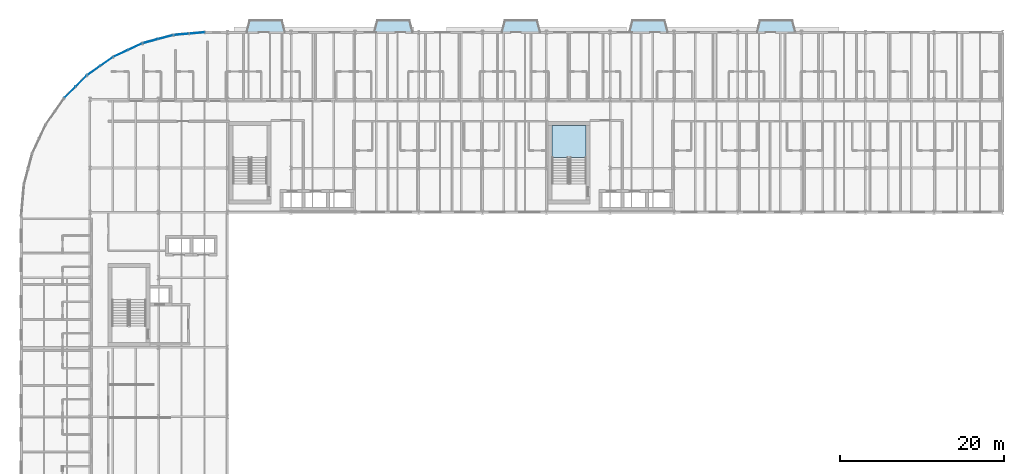
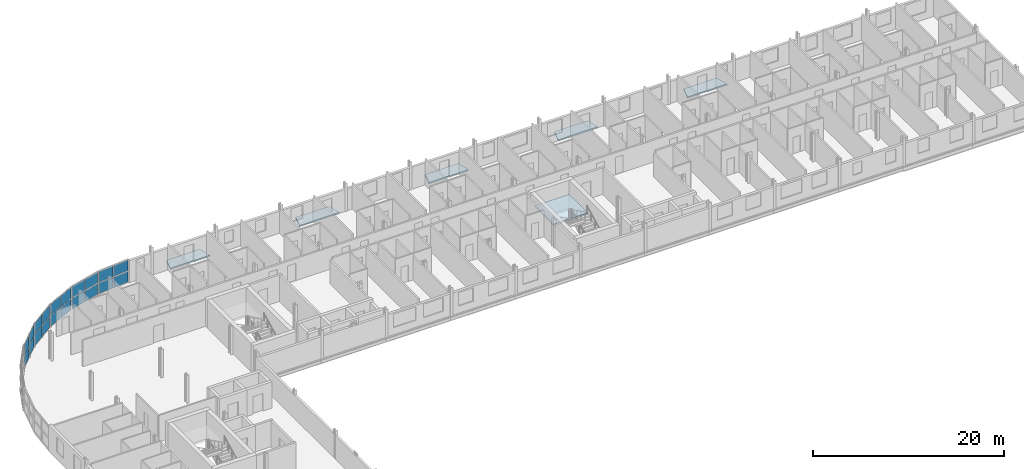
# One storey, part 15 of 36: 20 plates, 6 slabs, 6 elements without a shape of their own.
"""IFC4 building model written with IfcOpenShell, lengths in metres."""

from ifc_helpers import new_model, si_unit, direction, frame, origin, origin_2d, place, context, subcontext, project, spatial, polyline, rectangle, outline, extrude, material, layer, layer_set, type_object, element, aggregate, save


model = new_model("IFC4")

# Units and contexts
model_context = context("Model", 3, precision=1e-05, world=origin(), true_north=direction((0.0, 1.0)))
body_context = subcontext(model_context, "Body", "Model", "MODEL_VIEW")
ifc_project = project(units=[si_unit("LENGTHUNIT", "METRE"), si_unit("AREAUNIT", "SQUARE_METRE"), si_unit("VOLUMEUNIT", "CUBIC_METRE"), si_unit("PLANEANGLEUNIT", "RADIAN"), si_unit("MASSUNIT", "GRAM", prefix="KILO")], contexts=[model_context])

# Site, building, storey
site_placement = place(None, origin())
site = spatial("IfcSite", under=ifc_project, at=site_placement, CompositionType="ELEMENT")
building_placement = place(site_placement, origin())
building = spatial("IfcBuilding", under=site, at=building_placement, Name="Sefraquen Railside Congress Hotel", CompositionType="ELEMENT")
storey_placement = place(building_placement, frame((0.0, 0.0, 28.199951171875)))
storey = spatial("IfcBuildingStorey", under=building, at=storey_placement, Name="L06", CompositionType="ELEMENT", Elevation=28.199951171875)

# Curtain wall, plates
ifc_material_1 = material(Name="Thermally broken anodised aluminium and low-E double glazing", Category="aluminium")
ifc_layer_1 = layer(ifc_material_1, 0.199951171875)
ifc_layer_set_1 = layer_set([ifc_layer_1], Name="Thermally broken anodised aluminium and low-E double glazing")
curtain_wall_type_1 = type_object("IfcCurtainWallType", Name="TCW-UCW-23", PredefinedType="USERDEFINED", material=ifc_layer_set_1)
curtain_wall_1_placement = place(storey_placement, origin())
curtain_wall_1 = element("IfcCurtainWall", 1, at=curtain_wall_1_placement, inside=storey, type_object=curtain_wall_type_1, Name="Rotunda L06 curved curtain wall facet 1", ObjectType="UNITISED CURTAIN WALL", PredefinedType="USERDEFINED")
ifc_material_2 = material(Name="Solar-control low-E double glazing", Category="glass")
ifc_layer_2 = layer(ifc_material_2, 0.02392578125)
ifc_layer_set_2 = layer_set([ifc_layer_2], Name="Solar-control low-E double glazing")
plate_type_1 = type_object("IfcPlateType", Name="TP-CWP-01", PredefinedType="CURTAIN_PANEL", material=ifc_layer_set_2)
plate_1_placement = place(storey_placement, frame((21.50341796875, 117.912841796875, 0.0400390625), z_axis=(0.0, 0.0, 1.0), x_axis=(-0.996196219095, -0.087138355857, 0.0)))
plate_1 = element("IfcPlate", 2, at=plate_1_placement, type_object=plate_type_1, Name="CW-L06-ROT-01 panel 1.1", PredefinedType="CURTAIN_PANEL", context=body_context, shape_type="SweptSolid", body=[
    extrude(rectangle(XDim=1.8310546875, YDim=0.02392578125, at=origin_2d()), origin(), (0.0, 0.0, 1.0), 1.375),
])
plate_2_placement = place(storey_placement, frame((19.589599609375, 117.745361328125, 0.0400390625), z_axis=(0.0, 0.0, 1.0), x_axis=(-0.996196219095, -0.087138355857, 0.0)))
plate_2 = element("IfcPlate", 3, at=plate_2_placement, type_object=plate_type_1, Name="CW-L06-ROT-01 panel 1.2", PredefinedType="CURTAIN_PANEL", context=body_context, shape_type="SweptSolid", body=[
    extrude(rectangle(XDim=1.8310546875, YDim=0.02392578125, at=origin_2d()), origin(), (0.0, 0.0, 1.0), 1.375),
])

ifc_layer_3 = layer(ifc_material_1, 0.199951171875)
ifc_layer_set_3 = layer_set([ifc_layer_3], Name="Thermally broken anodised aluminium and low-E double glazing")
curtain_wall_type_2 = type_object("IfcCurtainWallType", Name="TCW-UCW-24", PredefinedType="USERDEFINED", material=ifc_layer_set_3)
curtain_wall_2_placement = place(storey_placement, origin())
curtain_wall_2 = element("IfcCurtainWall", 4, at=curtain_wall_2_placement, inside=storey, type_object=curtain_wall_type_2, Name="Rotunda L06 curved curtain wall facet 2", ObjectType="UNITISED CURTAIN WALL", PredefinedType="USERDEFINED")
plate_3_placement = place(storey_placement, frame((17.62646484375, 117.399169921875, 0.0400390625), z_axis=(0.0, 0.0, 1.0), x_axis=(-0.96593486019, -0.258785327773, 0.0)))
plate_3 = element("IfcPlate", 5, at=plate_3_placement, type_object=plate_type_1, Name="CW-L06-ROT-02 panel 1.1", PredefinedType="CURTAIN_PANEL", context=body_context, shape_type="SweptSolid", body=[
    extrude(rectangle(XDim=1.8310546875, YDim=0.02392578125, at=origin_2d()), origin(), (0.0, 0.0, 1.0), 1.375),
])
plate_4_placement = place(storey_placement, frame((15.77099609375, 116.902099609375, 0.0400390625), z_axis=(0.0, 0.0, 1.0), x_axis=(-0.96593486019, -0.258785327773, 0.0)))
plate_4 = element("IfcPlate", 6, at=plate_4_placement, type_object=plate_type_1, Name="CW-L06-ROT-02 panel 1.2", PredefinedType="CURTAIN_PANEL", context=body_context, shape_type="SweptSolid", body=[
    extrude(rectangle(XDim=1.8310546875, YDim=0.02392578125, at=origin_2d()), origin(), (0.0, 0.0, 1.0), 1.375),
])

ifc_layer_4 = layer(ifc_material_1, 0.199951171875)
ifc_layer_set_4 = layer_set([ifc_layer_4], Name="Thermally broken anodised aluminium and low-E double glazing")
curtain_wall_type_3 = type_object("IfcCurtainWallType", Name="TCW-UCW-25", PredefinedType="USERDEFINED", material=ifc_layer_set_4)
curtain_wall_3_placement = place(storey_placement, origin())
curtain_wall_3 = element("IfcCurtainWall", 7, at=curtain_wall_3_placement, inside=storey, type_object=curtain_wall_type_3, Name="Rotunda L06 curved curtain wall facet 3", ObjectType="UNITISED CURTAIN WALL", PredefinedType="USERDEFINED")
plate_5_placement = place(storey_placement, frame((13.897705078125, 116.22021484375, 0.0400390625), z_axis=(0.0, 0.0, 1.0), x_axis=(-0.906300410818, -0.422634079731, 0.0)))
plate_5 = element("IfcPlate", 8, at=plate_5_placement, type_object=plate_type_1, Name="CW-L06-ROT-03 panel 1.1", PredefinedType="CURTAIN_PANEL", context=body_context, shape_type="SweptSolid", body=[
    extrude(rectangle(XDim=1.830810546875, YDim=0.02392578125, at=origin_2d()), origin(), (0.0, 0.0, 1.0), 1.375),
])
plate_6_placement = place(storey_placement, frame((12.15673828125, 115.408447265625, 0.0400390625), z_axis=(0.0, 0.0, 1.0), x_axis=(-0.906300410818, -0.422634079731, 0.0)))
plate_6 = element("IfcPlate", 9, at=plate_6_placement, type_object=plate_type_1, Name="CW-L06-ROT-03 panel 1.2", PredefinedType="CURTAIN_PANEL", context=body_context, shape_type="SweptSolid", body=[
    extrude(rectangle(XDim=1.830810546875, YDim=0.02392578125, at=origin_2d()), origin(), (0.0, 0.0, 1.0), 1.375),
])

ifc_layer_5 = layer(ifc_material_1, 0.199951171875)
ifc_layer_set_5 = layer_set([ifc_layer_5], Name="Thermally broken anodised aluminium and low-E double glazing")
curtain_wall_type_4 = type_object("IfcCurtainWallType", Name="TCW-UCW-26", PredefinedType="USERDEFINED", material=ifc_layer_set_5)
curtain_wall_4_placement = place(storey_placement, origin())
curtain_wall_4 = element("IfcCurtainWall", 10, at=curtain_wall_4_placement, inside=storey, type_object=curtain_wall_type_4, Name="Rotunda L06 curved curtain wall facet 4", ObjectType="UNITISED CURTAIN WALL", PredefinedType="USERDEFINED")
plate_7_placement = place(storey_placement, frame((10.430419921875, 114.411865234375, 0.0400390625), z_axis=(0.0, 0.0, 1.0), x_axis=(-0.819132022195, -0.573605029802, 0.0)))
plate_7 = element("IfcPlate", 11, at=plate_7_placement, type_object=plate_type_1, Name="CW-L06-ROT-04 panel 1.1", PredefinedType="CURTAIN_PANEL", context=body_context, shape_type="SweptSolid", body=[
    extrude(rectangle(XDim=1.8310546875, YDim=0.02392578125, at=origin_2d()), origin(), (0.0, 0.0, 1.0), 1.375),
])
plate_8_placement = place(storey_placement, frame((8.856689453125, 113.309814453125, 0.0400390625), z_axis=(0.0, 0.0, 1.0), x_axis=(-0.819132022195, -0.573605029802, 0.0)))
plate_8 = element("IfcPlate", 12, at=plate_8_placement, type_object=plate_type_1, Name="CW-L06-ROT-04 panel 1.2", PredefinedType="CURTAIN_PANEL", context=body_context, shape_type="SweptSolid", body=[
    extrude(rectangle(XDim=1.8310546875, YDim=0.02392578125, at=origin_2d()), origin(), (0.0, 0.0, 1.0), 1.375),
])

ifc_layer_6 = layer(ifc_material_1, 0.199951171875)
ifc_layer_set_6 = layer_set([ifc_layer_6], Name="Thermally broken anodised aluminium and low-E double glazing")
curtain_wall_type_5 = type_object("IfcCurtainWallType", Name="TCW-UCW-27", PredefinedType="USERDEFINED", material=ifc_layer_set_6)
curtain_wall_5_placement = place(storey_placement, origin())
curtain_wall_5 = element("IfcCurtainWall", 13, at=curtain_wall_5_placement, inside=storey, type_object=curtain_wall_type_5, Name="Rotunda L06 curved curtain wall facet 5", ObjectType="UNITISED CURTAIN WALL", PredefinedType="USERDEFINED")
plate_9_placement = place(storey_placement, frame((7.329833984375, 112.028564453125, 0.0400390625), z_axis=(0.0, 0.0, 1.0), x_axis=(-0.707106781187, -0.707106781187, 0.0)))
plate_9 = element("IfcPlate", 14, at=plate_9_placement, type_object=plate_type_1, Name="CW-L06-ROT-05 panel 1.1", PredefinedType="CURTAIN_PANEL", context=body_context, shape_type="SweptSolid", body=[
    extrude(rectangle(XDim=1.8310546875, YDim=0.02392578125, at=origin_2d()), origin(), (0.0, 0.0, 1.0), 1.375),
])
plate_10_placement = place(storey_placement, frame((5.971435546875, 110.670166015625, 0.0400390625), z_axis=(0.0, 0.0, 1.0), x_axis=(-0.707106781187, -0.707106781187, 0.0)))
plate_10 = element("IfcPlate", 15, at=plate_10_placement, type_object=plate_type_1, Name="CW-L06-ROT-05 panel 1.2", PredefinedType="CURTAIN_PANEL", context=body_context, shape_type="SweptSolid", body=[
    extrude(rectangle(XDim=1.8310546875, YDim=0.02392578125, at=origin_2d()), origin(), (0.0, 0.0, 1.0), 1.375),
])

# Plate
ifc_material_3 = material(Name="Triple acoustic solar-control glazing", Category="glass")
ifc_layer_7 = layer(ifc_material_3, 0.031982421875)
ifc_layer_set_7 = layer_set([ifc_layer_7], Name="Triple acoustic solar-control glazing")
plate_type_2 = type_object("IfcPlateType", Name="TP-CWP-02", PredefinedType="CURTAIN_PANEL", material=ifc_layer_set_7)
plate_11_placement = place(storey_placement, frame((21.50341796875, 117.912841796875, 1.4951171875), z_axis=(0.0, 0.0, 1.0), x_axis=(-0.996196219095, -0.087138355857, 0.0)))
plate_11 = element("IfcPlate", 16, at=plate_11_placement, type_object=plate_type_2, Name="CW-L06-ROT-01 panel 2.1", PredefinedType="CURTAIN_PANEL", context=body_context, shape_type="SweptSolid", body=[
    extrude(rectangle(XDim=1.8310546875, YDim=0.031982421875, at=origin_2d()), origin(), (0.0, 0.0, 1.0), 1.375),
])

plate_12_placement = place(storey_placement, frame((19.589599609375, 117.745361328125, 1.4951171875), z_axis=(0.0, 0.0, 1.0), x_axis=(-0.996196219095, -0.087138355857, 0.0)))
plate_12 = element("IfcPlate", 17, at=plate_12_placement, type_object=plate_type_2, Name="CW-L06-ROT-01 panel 2.2", PredefinedType="CURTAIN_PANEL", context=body_context, shape_type="SweptSolid", body=[
    extrude(rectangle(XDim=1.8310546875, YDim=0.031982421875, at=origin_2d()), origin(), (0.0, 0.0, 1.0), 1.375),
])

aggregate(curtain_wall_1, [plate_1, plate_2, plate_11, plate_12])

plate_13_placement = place(storey_placement, frame((17.62646484375, 117.399169921875, 1.4951171875), z_axis=(0.0, 0.0, 1.0), x_axis=(-0.96593486019, -0.258785327773, 0.0)))
plate_13 = element("IfcPlate", 18, at=plate_13_placement, type_object=plate_type_2, Name="CW-L06-ROT-02 panel 2.1", PredefinedType="CURTAIN_PANEL", context=body_context, shape_type="SweptSolid", body=[
    extrude(rectangle(XDim=1.8310546875, YDim=0.031982421875, at=origin_2d()), origin(), (0.0, 0.0, 1.0), 1.375),
])

plate_14_placement = place(storey_placement, frame((15.77099609375, 116.902099609375, 1.4951171875), z_axis=(0.0, 0.0, 1.0), x_axis=(-0.96593486019, -0.258785327773, 0.0)))
plate_14 = element("IfcPlate", 19, at=plate_14_placement, type_object=plate_type_2, Name="CW-L06-ROT-02 panel 2.2", PredefinedType="CURTAIN_PANEL", context=body_context, shape_type="SweptSolid", body=[
    extrude(rectangle(XDim=1.8310546875, YDim=0.031982421875, at=origin_2d()), origin(), (0.0, 0.0, 1.0), 1.375),
])

aggregate(curtain_wall_2, [plate_3, plate_4, plate_13, plate_14])

plate_15_placement = place(storey_placement, frame((13.897705078125, 116.22021484375, 1.4951171875), z_axis=(0.0, 0.0, 1.0), x_axis=(-0.906300410818, -0.422634079731, 0.0)))
plate_15 = element("IfcPlate", 20, at=plate_15_placement, type_object=plate_type_2, Name="CW-L06-ROT-03 panel 2.1", PredefinedType="CURTAIN_PANEL", context=body_context, shape_type="SweptSolid", body=[
    extrude(rectangle(XDim=1.830810546875, YDim=0.031982421875, at=origin_2d()), origin(), (0.0, 0.0, 1.0), 1.375),
])

plate_16_placement = place(storey_placement, frame((12.15673828125, 115.408447265625, 1.4951171875), z_axis=(0.0, 0.0, 1.0), x_axis=(-0.906300410818, -0.422634079731, 0.0)))
plate_16 = element("IfcPlate", 21, at=plate_16_placement, type_object=plate_type_2, Name="CW-L06-ROT-03 panel 2.2", PredefinedType="CURTAIN_PANEL", context=body_context, shape_type="SweptSolid", body=[
    extrude(rectangle(XDim=1.830810546875, YDim=0.031982421875, at=origin_2d()), origin(), (0.0, 0.0, 1.0), 1.375),
])

aggregate(curtain_wall_3, [plate_5, plate_6, plate_15, plate_16])

plate_17_placement = place(storey_placement, frame((10.430419921875, 114.411865234375, 1.4951171875), z_axis=(0.0, 0.0, 1.0), x_axis=(-0.819132022195, -0.573605029802, 0.0)))
plate_17 = element("IfcPlate", 22, at=plate_17_placement, type_object=plate_type_2, Name="CW-L06-ROT-04 panel 2.1", PredefinedType="CURTAIN_PANEL", context=body_context, shape_type="SweptSolid", body=[
    extrude(rectangle(XDim=1.8310546875, YDim=0.031982421875, at=origin_2d()), origin(), (0.0, 0.0, 1.0), 1.375),
])

plate_18_placement = place(storey_placement, frame((8.856689453125, 113.309814453125, 1.4951171875), z_axis=(0.0, 0.0, 1.0), x_axis=(-0.819132022195, -0.573605029802, 0.0)))
plate_18 = element("IfcPlate", 23, at=plate_18_placement, type_object=plate_type_2, Name="CW-L06-ROT-04 panel 2.2", PredefinedType="CURTAIN_PANEL", context=body_context, shape_type="SweptSolid", body=[
    extrude(rectangle(XDim=1.8310546875, YDim=0.031982421875, at=origin_2d()), origin(), (0.0, 0.0, 1.0), 1.375),
])

aggregate(curtain_wall_4, [plate_7, plate_8, plate_17, plate_18])

plate_19_placement = place(storey_placement, frame((7.329833984375, 112.028564453125, 1.4951171875), z_axis=(0.0, 0.0, 1.0), x_axis=(-0.707106781187, -0.707106781187, 0.0)))
plate_19 = element("IfcPlate", 24, at=plate_19_placement, type_object=plate_type_2, Name="CW-L06-ROT-05 panel 2.1", PredefinedType="CURTAIN_PANEL", context=body_context, shape_type="SweptSolid", body=[
    extrude(rectangle(XDim=1.8310546875, YDim=0.031982421875, at=origin_2d()), origin(), (0.0, 0.0, 1.0), 1.375),
])

plate_20_placement = place(storey_placement, frame((5.971435546875, 110.670166015625, 1.4951171875), z_axis=(0.0, 0.0, 1.0), x_axis=(-0.707106781187, -0.707106781187, 0.0)))
plate_20 = element("IfcPlate", 25, at=plate_20_placement, type_object=plate_type_2, Name="CW-L06-ROT-05 panel 2.2", PredefinedType="CURTAIN_PANEL", context=body_context, shape_type="SweptSolid", body=[
    extrude(rectangle(XDim=1.8310546875, YDim=0.031982421875, at=origin_2d()), origin(), (0.0, 0.0, 1.0), 1.375),
])

aggregate(curtain_wall_5, [plate_9, plate_10, plate_19, plate_20])

# Slabs
ifc_material_4 = material(Name="Concrete C40/50", Category="concrete")
ifc_layer_8 = layer(ifc_material_4, 0.179931640625)
ifc_layer_set_8 = layer_set([ifc_layer_8], Name="Concrete C40/50")
slab_type_1 = type_object("IfcSlabType", Name="TS-BL-180", PredefinedType="FLOOR", material=ifc_layer_set_8)
slab_1_placement = place(storey_placement, frame((0.0, 0.0, -0.179931640625)))
element("IfcSlab", 26, at=slab_1_placement, inside=storey, type_object=slab_type_1, Name="Hotel Art Nouveau balcony slab L06-01", PredefinedType="FLOOR", context=body_context, shape_type="SweptSolid", body=[
    extrude(outline(polyline([(27.5, 118.0), (32.300048828125, 118.0), (31.89990234375, 119.5), (27.89990234375, 119.5), (27.5, 118.0)])), origin(), (0.0, 0.0, 1.0), 0.179931640625),
])
slab_2_placement = place(storey_placement, frame((0.0, 0.0, -0.179931640625)))
element("IfcSlab", 27, at=slab_2_placement, inside=storey, type_object=slab_type_1, Name="Hotel Art Nouveau balcony slab L06-02", PredefinedType="FLOOR", context=body_context, shape_type="SweptSolid", body=[
    extrude(outline(polyline([(43.10009765625, 118.0), (47.89990234375, 118.0), (47.5, 119.5), (43.5, 119.5), (43.10009765625, 118.0)])), origin(), (0.0, 0.0, 1.0), 0.179931640625),
])
slab_3_placement = place(storey_placement, frame((0.0, 0.0, -0.179931640625)))
element("IfcSlab", 28, at=slab_3_placement, inside=storey, type_object=slab_type_1, Name="Hotel Art Nouveau balcony slab L06-03", PredefinedType="FLOOR", context=body_context, shape_type="SweptSolid", body=[
    extrude(outline(polyline([(58.699951171875, 118.0), (63.5, 118.0), (63.10009765625, 119.5), (59.10009765625, 119.5), (58.699951171875, 118.0)])), origin(), (0.0, 0.0, 1.0), 0.179931640625),
])
slab_4_placement = place(storey_placement, frame((0.0, 0.0, -0.179931640625)))
element("IfcSlab", 29, at=slab_4_placement, inside=storey, type_object=slab_type_1, Name="Hotel Art Nouveau balcony slab L06-04", PredefinedType="FLOOR", context=body_context, shape_type="SweptSolid", body=[
    extrude(outline(polyline([(74.300048828125, 118.0), (79.10009765625, 118.0), (78.699951171875, 119.5), (74.699951171875, 119.5), (74.300048828125, 118.0)])), origin(), (0.0, 0.0, 1.0), 0.179931640625),
])
slab_5_placement = place(storey_placement, frame((0.0, 0.0, -0.179931640625)))
element("IfcSlab", 30, at=slab_5_placement, inside=storey, type_object=slab_type_1, Name="Hotel Art Nouveau balcony slab L06-05", PredefinedType="FLOOR", context=body_context, shape_type="SweptSolid", body=[
    extrude(outline(polyline([(89.89990234375, 118.0), (94.699951171875, 118.0), (94.300048828125, 119.5), (90.300048828125, 119.5), (89.89990234375, 118.0)])), origin(), (0.0, 0.0, 1.0), 0.179931640625),
])

# Stair, slab
stair_type = type_object("IfcStairType", Name="TST-DOG-198-450", PredefinedType="HALF_TURN_STAIR", material=ifc_material_4)
stair_placement = place(storey_placement, origin())
stair = element("IfcStair", 31, at=stair_placement, inside=storey, type_object=stair_type, Name="L06 Pressurized escape stair ST-H03", PredefinedType="HALF_TURN_STAIR")
ifc_layer_9 = layer(ifc_material_4, 0.199951171875)
ifc_layer_set_9 = layer_set([ifc_layer_9], Name="Concrete C40/50")
slab_type_2 = type_object("IfcSlabType", Name="TS-LD-200", PredefinedType="LANDING", material=ifc_layer_set_9)
slab_6_placement = place(storey_placement, frame((0.0, 0.0, 1.60009765625)))
slab_6 = element("IfcSlab", 32, at=slab_6_placement, type_object=slab_type_2, Name="ST-H03 landing 1", PredefinedType="LANDING", context=body_context, shape_type="SweptSolid", body=[
    extrude(outline(polyline([(69.06005859375, 102.699951171875), (69.06005859375, 106.612060546875), (64.89990234375, 106.612060546875), (64.89990234375, 102.699951171875), (69.06005859375, 102.699951171875)])), origin(), (0.0, 0.0, 1.0), 0.199951171875),
])
aggregate(stair, [slab_6])

save(model, "model.ifc")
